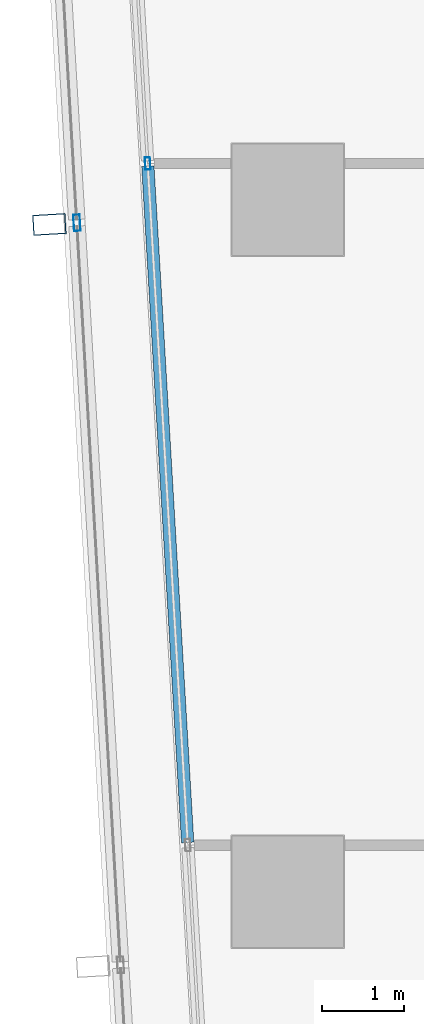
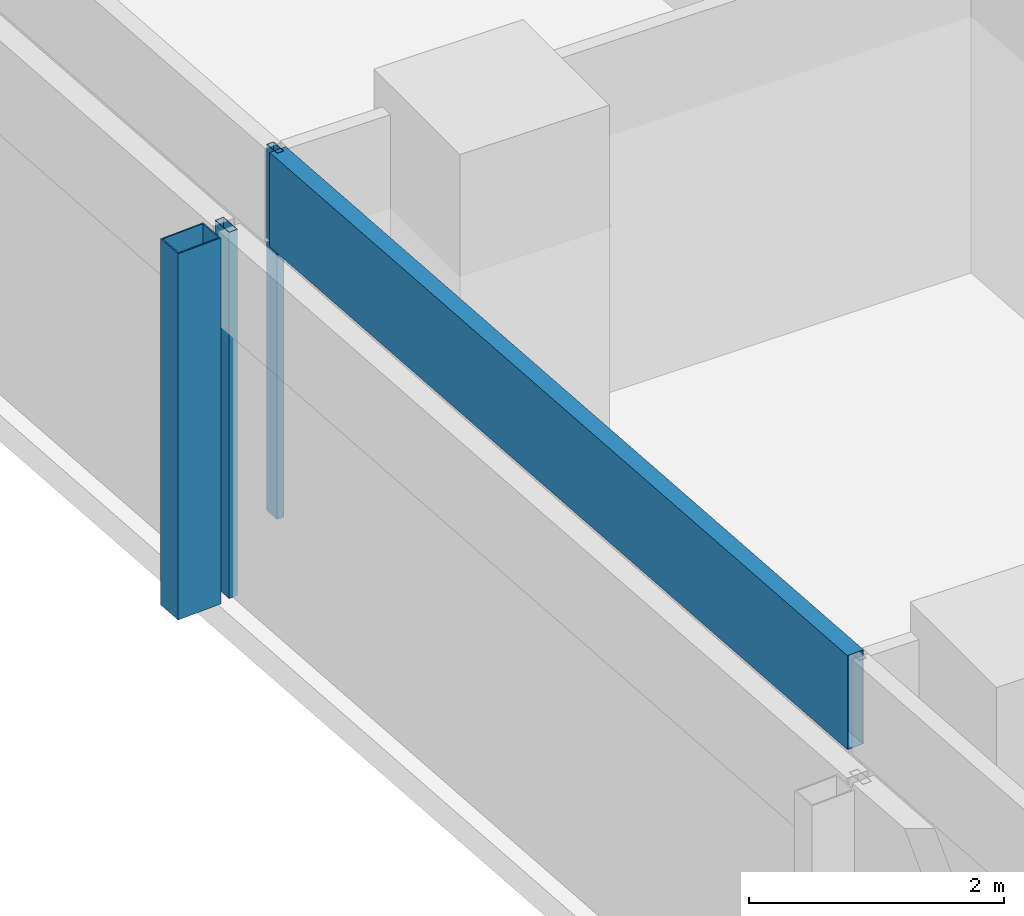
# One storey, part 8 of 39: 4 members, 2 elements without a shape of their own.
"""IFC4 building model written with IfcOpenShell, lengths in metres."""

from ifc_helpers import new_model, si_unit, direction, frame, origin, origin_2d, place, context, subcontext, project, spatial, hollow_rectangle, extrude, material, material_profile, profile_set, type_object, element, aggregate, save


model = new_model("IFC4")

# Units and contexts
model_context = context("Model", 3, precision=1e-05, world=origin(), true_north=direction((0.0, 1.0)))
body_context = subcontext(model_context, "Body", "Model", "MODEL_VIEW")
ifc_project = project(units=[si_unit("LENGTHUNIT", "METRE"), si_unit("AREAUNIT", "SQUARE_METRE"), si_unit("VOLUMEUNIT", "CUBIC_METRE"), si_unit("PLANEANGLEUNIT", "RADIAN"), si_unit("MASSUNIT", "GRAM", prefix="KILO")], contexts=[model_context])

# Site, building, storey
site_placement = place(None, origin())
site = spatial("IfcSite", under=ifc_project, at=site_placement, CompositionType="ELEMENT")
building_placement = place(site_placement, origin())
building = spatial("IfcBuilding", under=site, at=building_placement, Name="Rekha Terrace Tower", CompositionType="ELEMENT")
storey_placement = place(building_placement, frame((0.0, 0.0, 217.699951171875)))
storey = spatial("IfcBuildingStorey", under=building, at=storey_placement, Name="L55", CompositionType="ELEMENT", Elevation=217.699951171875)

# Curtain wall, member
ifc_material_1 = material(Name="Aluminium framing", Category="aluminium")
curtain_wall_type_1 = type_object("IfcCurtainWallType", Name="CW2 double skin outer glazing", PredefinedType="USERDEFINED", material=ifc_material_1)
curtain_wall_1_placement = place(storey_placement, origin())
curtain_wall_1 = element("IfcCurtainWall", 1, at=curtain_wall_1_placement, inside=storey, type_object=curtain_wall_type_1, Name="CW2 double skin outer glazing", ObjectType="DOUBLE SKIN OUTER GLAZING", PredefinedType="USERDEFINED")
ifc_material_2 = material(Name="Steel S355 with fluorocarbon finish", Category="steel")
ifc_material_profile_1 = material_profile(ifc_material_2, hollow_rectangle(XDim=0.25, YDim=0.39990234375, WallThickness=0.012451171875, at=origin_2d()), Name="RHS400x250x12.5")
ifc_profile_set_1 = profile_set([ifc_material_profile_1], Name="Steel S355 with fluorocarbon finish")
member_type_1 = type_object("IfcMemberType", Name="BL1 facade blade RHS 400 x 250", PredefinedType="USERDEFINED", material=ifc_profile_set_1)
member_1_placement = place(storey_placement, frame((5.50634765625, 33.300048828125, 0.0), z_axis=(0.0, 0.0, 1.0), x_axis=(0.058764522885, -0.998271872212, 0.0)))
member_1 = element("IfcMember", 2, at=member_1_placement, type_object=member_type_1, Name="Facade blade", ObjectType="FACADE BLADE", PredefinedType="USERDEFINED", context=body_context, shape_type="SweptSolid", body=[
    extrude(hollow_rectangle(XDim=0.25, YDim=0.39990234375, WallThickness=0.012451171875, at=origin_2d()), origin(), (0.0, 0.0, 1.0), 3.5),
])

# Curtain wall, members
curtain_wall_type_2 = type_object("IfcCurtainWallType", Name="CW1 double skin inner glazing", PredefinedType="USERDEFINED", material=ifc_material_1)
curtain_wall_2_placement = place(storey_placement, origin())
curtain_wall_2 = element("IfcCurtainWall", 3, at=curtain_wall_2_placement, inside=storey, type_object=curtain_wall_type_2, Name="CW1 double skin inner glazing", ObjectType="DOUBLE SKIN INNER GLAZING", PredefinedType="USERDEFINED")
ifc_material_3 = material(Name="Aluminium mullion section", Category="aluminium")
ifc_material_profile_2 = material_profile(ifc_material_3, hollow_rectangle(XDim=0.06494140625, YDim=0.14990234375, WallThickness=0.00390625, at=origin_2d()), Name="AL RHS 65x150")
ifc_profile_set_2 = profile_set([ifc_material_profile_2], Name="Aluminium mullion section")
member_type_2 = type_object("IfcMemberType", Name="CW1 mullion RHS 65 x 150", PredefinedType="MULLION", material=ifc_profile_set_2)
member_2_placement = place(storey_placement, frame((6.69970703125, 34.040283203125, 0.0), z_axis=(0.0, 0.0, 1.0), x_axis=(0.998271839269, 0.058765082516, 0.0)))
member_2 = element("IfcMember", 4, at=member_2_placement, type_object=member_type_2, Name="CW1 mullion 2", PredefinedType="MULLION", context=body_context, shape_type="SweptSolid", body=[
    extrude(hollow_rectangle(XDim=0.06494140625, YDim=0.14990234375, WallThickness=0.00390625, at=origin_2d()), origin(), (0.0, 0.0, 1.0), 3.5),
])
ifc_material_4 = material(Name="Insulated aluminium spandrel box", Category="aluminium")
ifc_material_profile_3 = material_profile(ifc_material_4, hollow_rectangle(XDim=0.14990234375, YDim=0.89990234375, WallThickness=0.0029296875, at=origin_2d()), Name="AL SPANDREL BOX 150x900")
ifc_profile_set_3 = profile_set([ifc_material_profile_3], Name="Insulated aluminium spandrel box")
member_type_3 = type_object("IfcMemberType", Name="CW1 spandrel transom 150 x 900", PredefinedType="USERDEFINED", material=ifc_profile_set_3)
member_3_placement = place(storey_placement, frame((6.70166015625, 34.0078125, 3.050048828125), z_axis=(0.058782934148, -0.99827078824, 0.0), x_axis=(0.99827078824, 0.058782934148, 0.0)))
member_3 = element("IfcMember", 5, at=member_3_placement, type_object=member_type_3, Name="CW1 spandrel transom 2", ObjectType="TRANSOM", PredefinedType="USERDEFINED", context=body_context, shape_type="SweptSolid", body=[
    extrude(hollow_rectangle(XDim=0.14990234375, YDim=0.89990234375, WallThickness=0.0029296875, at=origin_2d()), origin(), (0.0, 0.0, 1.0), 8.223388671875),
])
aggregate(curtain_wall_2, [member_2, member_3])

# Member
ifc_material_profile_4 = material_profile(ifc_material_3, hollow_rectangle(XDim=0.080078125, YDim=0.199951171875, WallThickness=0.00390625, at=origin_2d()), Name="AL RHS 80x200")
ifc_profile_set_4 = profile_set([ifc_material_profile_4], Name="Aluminium mullion section")
member_type_4 = type_object("IfcMemberType", Name="CW2 mullion RHS 80 x 200", PredefinedType="MULLION", material=ifc_profile_set_4)
member_4_placement = place(storey_placement, frame((5.840576171875, 33.31982421875, 0.0), z_axis=(0.0, 0.0, 1.0), x_axis=(0.99827183927, 0.058765082499, 0.0)))
member_4 = element("IfcMember", 6, at=member_4_placement, type_object=member_type_4, Name="CW2 mullion 2", PredefinedType="MULLION", context=body_context, shape_type="SweptSolid", body=[
    extrude(hollow_rectangle(XDim=0.080078125, YDim=0.199951171875, WallThickness=0.00390625, at=origin_2d()), origin(), (0.0, 0.0, 1.0), 3.5),
])

aggregate(curtain_wall_1, [member_4, member_1])

save(model, "model.ifc")
